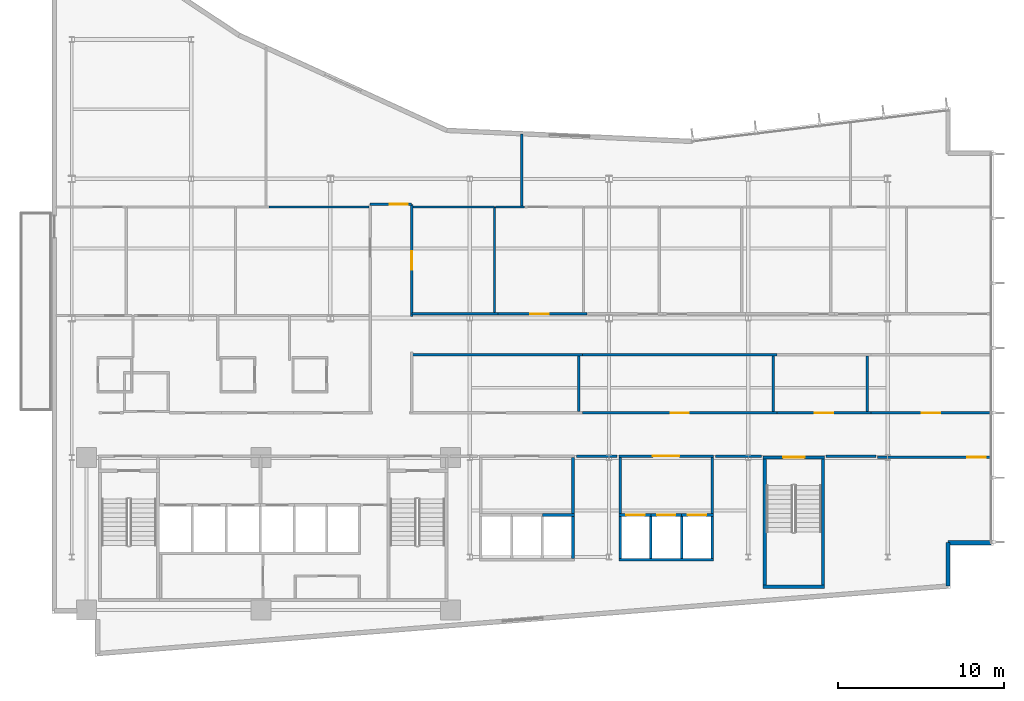
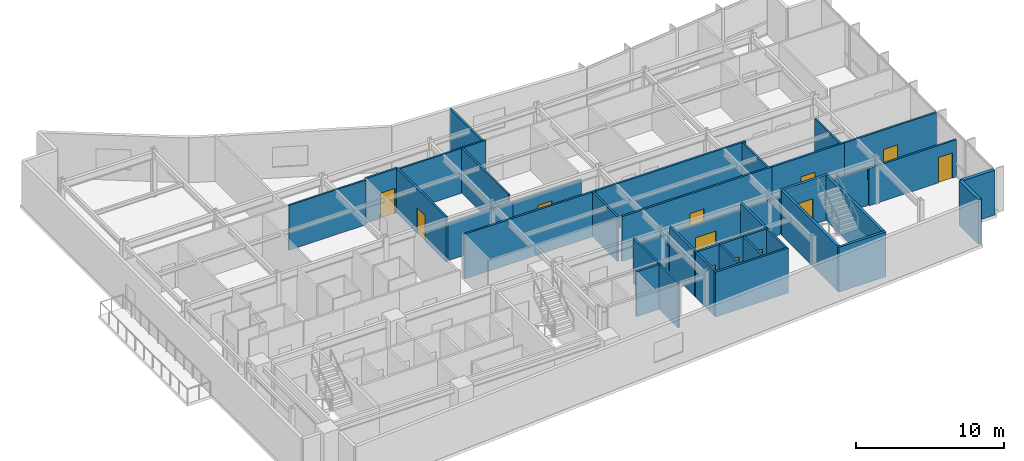
# One storey, part 12 of 18: 41 walls, 12 doors, 12 openings.
"""IFC4 building model written with IfcOpenShell, lengths in metres."""

from ifc_helpers import new_model, si_unit, direction, frame, frame_2d, origin, place, context, subcontext, project, spatial, rectangle, extrude, material, layer, layer_set, type_object, element, fill, save


model = new_model("IFC4")

# Units and contexts
model_context = context("Model", 3, precision=1e-05, world=origin(), true_north=direction((0.0, 1.0)))
body_context = subcontext(model_context, "Body", "Model", "MODEL_VIEW")
ifc_project = project(units=[si_unit("LENGTHUNIT", "METRE"), si_unit("AREAUNIT", "SQUARE_METRE"), si_unit("VOLUMEUNIT", "CUBIC_METRE"), si_unit("PLANEANGLEUNIT", "RADIAN"), si_unit("MASSUNIT", "GRAM", prefix="KILO")], contexts=[model_context])

# Site, building, storey
site_placement = place(None, origin())
site = spatial("IfcSite", under=ifc_project, at=site_placement, CompositionType="ELEMENT")
building_placement = place(site_placement, origin())
building = spatial("IfcBuilding", under=site, at=building_placement, Name="Varnakote Quay Hospital", CompositionType="ELEMENT")
storey_placement = place(building_placement, frame((0.0, 0.0, 107.300048828125)))
storey = spatial("IfcBuildingStorey", under=building, at=storey_placement, Name="L26", CompositionType="ELEMENT", Elevation=107.300048828125)

# Walls
ifc_material_1 = material(Name="Fire-rated acoustic gypsum stud wall", Category="gypsum")
ifc_layer_1 = layer(ifc_material_1, 0.159912109375)
ifc_layer_set_1 = layer_set([ifc_layer_1], Name="Fire-rated acoustic gypsum stud wall")
wall_type_1 = type_object("IfcWallType", Name="WL-COMP-160", PredefinedType="PARTITIONING", material=ifc_layer_set_1)
for number, where, z_axis, x_axis, name in (
    (1, (31.429931640625, 8.610107421875, 0.0), (0.0, 0.0, 1.0), (0.0, 1.0, 0.0), "L26 Low-Rise Lift Lobby East Wall"),
    (2, (34.27001953125, 8.610107421875, 0.0), (0.0, 0.0, 1.0), (0.0, 1.0, 0.0), "L26 Mid-Rise Lift Lobby West Wall"),
    (3, (39.830078125, 8.610107421875, 0.0), (0.0, 0.0, 1.0), (0.0, 1.0, 0.0), "L26 Mid-Rise Lift Lobby East Wall"),
):
    element("IfcWall", number, at=place(storey_placement, frame(where, z_axis=z_axis, x_axis=x_axis)), inside=storey, type_object=wall_type_1, Name=name, PredefinedType="PARTITIONING", context=body_context, shape_type="SweptSolid", body=[
        extrude(rectangle(XDim=3.389892578125, YDim=0.159912109375, at=frame_2d((1.69482421875, 0.0))), origin(), (0.0, 0.0, 1.0), 3.7099609375),
    ])

# Wall, opening, door
wall_1_placement = place(storey_placement, frame((34.18994140625, 12.080078125, 0.0), z_axis=(0.0, 0.0, 1.0), x_axis=(1.0, 0.0, 0.0)))
wall_1 = element("IfcWall", 4, at=wall_1_placement, inside=storey, type_object=wall_type_1, Name="L26 Mid-Rise Lift Lobby North Wall", PredefinedType="PARTITIONING", context=body_context, shape_type="SweptSolid", body=[
    extrude(rectangle(XDim=5.719970703125, YDim=0.159912109375, at=frame_2d((2.85986328125, 0.0))), origin(), (0.0, 0.0, 1.0), 3.0830078125),
])
opening_1_placement = place(wall_1_placement, frame((2.06005859375, 0.0, 0.0)))
opening_1 = element("IfcOpeningElement", 5, at=opening_1_placement, cuts=wall_1, Name="Opening D-PML-L26", PredefinedType="OPENING", context=body_context, shape_type="SweptSolid", body=[
    extrude(rectangle(XDim=1.60009765625, YDim=2.050048828125, at=frame_2d((0.800048828125, 1.02490234375))), frame((0.0, 0.08984375, 0.0), z_axis=(0.0, -1.0, 0.0), x_axis=(1.0, 0.0, 0.0)), (0.0, 0.0, 1.0), 0.179931640625),
])
ifc_material_2 = material(Name="Fire-rated double smoke lobby door")
door_type_1 = type_object("IfcDoorType", Name="DR-LOBBY-FD60S-1600x2150", OperationType="NOTDEFINED", PredefinedType="DOOR", material=ifc_material_2)
door_1_placement = place(opening_1_placement, origin())
door_1 = element("IfcDoor", 6, at=door_1_placement, inside=storey, type_object=door_type_1, Name="L26 Mid-Rise Passenger Concourse Vestibule Door", OperationType="DOUBLE_DOOR_SINGLE_SWING", OverallHeight=2.050048828125, OverallWidth=1.60009765625, PredefinedType="DOOR", context=body_context, shape_type="SweptSolid", body=[
    extrude(rectangle(XDim=1.60009765625, YDim=2.050048828125, at=frame_2d((0.800048828125, 1.02490234375))), frame((0.0, 0.02490234375, 0.0), z_axis=(0.0, -1.0, 0.0), x_axis=(1.0, 0.0, 0.0)), (0.0, 0.0, 1.0), 0.050048828125),
])
fill(opening_1, door_1)

# Walls
wall_2_placement = place(storey_placement, frame((31.6298828125, 12.080078125, 0.0), z_axis=(0.0, 0.0, 1.0), x_axis=(1.0, 0.0, 0.0)))
element("IfcWall", 7, at=wall_2_placement, inside=storey, type_object=wall_type_1, Name="L26 Corridor South Gap Wall", PredefinedType="PARTITIONING", context=body_context, shape_type="SweptSolid", body=[
    extrude(rectangle(XDim=2.440185546875, YDim=0.159912109375, at=frame_2d((1.22021484375, 0.0))), origin(), (0.0, 0.0, 1.0), 3.0830078125),
])
wall_3_placement = place(storey_placement, frame((40.030029296875, 12.080078125, 0.0), z_axis=(0.0, 0.0, 1.0), x_axis=(1.0, 0.0, 0.0)))
element("IfcWall", 8, at=wall_3_placement, inside=storey, type_object=wall_type_1, Name="L26 Corridor South Gap Wall", PredefinedType="PARTITIONING", context=body_context, shape_type="SweptSolid", body=[
    extrude(rectangle(XDim=2.78076171875, YDim=0.159912109375, at=frame_2d((1.390380859375, 0.0))), origin(), (0.0, 0.0, 1.0), 3.0830078125),
])
wall_4_placement = place(storey_placement, frame((46.689208984375, 12.080078125, 0.0), z_axis=(0.0, 0.0, 1.0), x_axis=(1.0, 0.0, 0.0)))
element("IfcWall", 9, at=wall_4_placement, inside=storey, type_object=wall_type_1, Name="L26 Corridor South Gap Wall", PredefinedType="PARTITIONING", context=body_context, shape_type="SweptSolid", body=[
    extrude(rectangle(XDim=3.0107421875, YDim=0.159912109375, at=frame_2d((1.50537109375, 0.0))), origin(), (0.0, 0.0, 1.0), 3.0830078125),
])
ifc_material_3 = material(Name="Precast concrete N50 (f'c 50 MPa)", Category="concrete")
ifc_layer_2 = layer(ifc_material_3, 0.260009765625)
ifc_layer_set_2 = layer_set([ifc_layer_2], Name="Precast concrete N50 (f'c 50 MPa)")
wall_type_2 = type_object("IfcWallType", Name="WL-EXT-BRICK-260", PredefinedType="STANDARD", material=ifc_layer_set_2)
wall_5_placement = place(storey_placement, frame((54.0400390625, 4.247802734375, 0.0), z_axis=(0.0, 0.0, 1.0), x_axis=(0.0, 1.0, 0.0)))
element("IfcWall", 10, at=wall_5_placement, inside=storey, type_object=wall_type_2, Name="L26 Brick-Faced Precast Exterior Wall", PredefinedType="STANDARD", context=body_context, shape_type="SweptSolid", body=[
    extrude(rectangle(XDim=2.6123046875, YDim=0.260009765625, at=frame_2d((1.30615234375, 0.0))), origin(), (0.0, 0.0, 1.0), 3.7099609375),
])
wall_6_placement = place(storey_placement, frame((54.0400390625, 6.860107421875, 0.0), z_axis=(0.0, 0.0, 1.0), x_axis=(1.0, 0.0, 0.0)))
element("IfcWall", 11, at=wall_6_placement, inside=storey, type_object=wall_type_2, Name="L26 Brick-Faced Precast Exterior Wall", PredefinedType="STANDARD", context=body_context, shape_type="SweptSolid", body=[
    extrude(rectangle(XDim=2.599853515625, YDim=0.260009765625, at=frame_2d((1.2998046875, 0.0))), origin(), (0.0, 0.0, 1.0), 3.7099609375),
])
ifc_material_4 = material(Name="Concrete N50 (f'c 50 MPa)", Category="concrete")
ifc_layer_3 = layer(ifc_material_4, 0.14990234375)
ifc_layer_set_3 = layer_set([ifc_layer_3], Name="Concrete N50 (f'c 50 MPa)")
wall_type_3 = type_object("IfcWallType", Name="WL-SHAFT-N50-150", PredefinedType="SHEAR", material=ifc_layer_set_3)
for number, where, z_axis, x_axis, name in (
    (12, (36.125, 5.89990234375, 0.0), (0.0, 0.0, 1.0), (0.0, 1.0, 0.0), "L26 LF-PM1 Hoistway Divider Wall"),
    (13, (37.97509765625, 5.89990234375, 0.0), (0.0, 0.0, 1.0), (0.0, 1.0, 0.0), "L26 LF-PM2 Hoistway Divider Wall"),
):
    element("IfcWall", number, at=place(storey_placement, frame(where, z_axis=z_axis, x_axis=x_axis)), inside=storey, type_object=wall_type_3, Name=name, PredefinedType="SHEAR", context=body_context, shape_type="SweptSolid", body=[
        extrude(rectangle(XDim=2.550048828125, YDim=0.14990234375, at=frame_2d((1.27490234375, 0.0))), origin(), (0.0, 0.0, 1.0), 3.7099609375),
    ])
ifc_material_5 = material(Name="Concrete N50 (f'c 50 MPa)", Category="concrete")
ifc_layer_4 = layer(ifc_material_5, 0.159912109375)
ifc_layer_set_4 = layer_set([ifc_layer_4], Name="Concrete N50 (f'c 50 MPa)")
wall_type_4 = type_object("IfcWallType", Name="WL-SHAFT-N50-160", PredefinedType="SHEAR", material=ifc_layer_set_4)
wall_7_placement = place(storey_placement, frame((31.429931640625, 5.89990234375, 0.0), z_axis=(0.0, 0.0, 1.0), x_axis=(0.0, 1.0, 0.0)))
element("IfcWall", 14, at=wall_7_placement, inside=storey, type_object=wall_type_4, Name="L26 LOW Lift Bank East Shear Wall", PredefinedType="SHEAR", context=body_context, shape_type="SweptSolid", body=[
    extrude(rectangle(XDim=2.550048828125, YDim=0.159912109375, at=frame_2d((1.27490234375, 0.0))), origin(), (0.0, 0.0, 1.0), 3.7099609375),
])
wall_8_placement = place(storey_placement, frame((29.574951171875, 8.530029296875, 0.0), z_axis=(0.0, 0.0, 1.0), x_axis=(1.0, 0.0, 0.0)))
element("IfcWall", 15, at=wall_8_placement, inside=storey, type_object=wall_type_4, Name="L26 LF-PL3 Hoistway Front Wall", PredefinedType="SHEAR", context=body_context, shape_type="SweptSolid", body=[
    extrude(rectangle(XDim=1.93505859375, YDim=0.159912109375, at=frame_2d((0.967529296875, 0.0))), origin(), (0.0, 0.0, 1.0), 3.7099609375),
])
wall_9_placement = place(storey_placement, frame((34.18994140625, 5.820068359375, 0.0), z_axis=(0.0, 0.0, 1.0), x_axis=(1.0, 0.0, 0.0)))
element("IfcWall", 16, at=wall_9_placement, inside=storey, type_object=wall_type_4, Name="L26 MID Lift Bank Back Shear Wall", PredefinedType="SHEAR", context=body_context, shape_type="SweptSolid", body=[
    extrude(rectangle(XDim=5.719970703125, YDim=0.159912109375, at=frame_2d((2.85986328125, 0.0))), origin(), (0.0, 0.0, 1.0), 3.7099609375),
])
for number, where, z_axis, x_axis, name in (
    (17, (34.27001953125, 5.89990234375, 0.0), (0.0, 0.0, 1.0), (0.0, 1.0, 0.0), "L26 MID Lift Bank West Shear Wall"),
    (18, (39.830078125, 5.89990234375, 0.0), (0.0, 0.0, 1.0), (0.0, 1.0, 0.0), "L26 MID Lift Bank East Shear Wall"),
):
    element("IfcWall", number, at=place(storey_placement, frame(where, z_axis=z_axis, x_axis=x_axis)), inside=storey, type_object=wall_type_4, Name=name, PredefinedType="SHEAR", context=body_context, shape_type="SweptSolid", body=[
        extrude(rectangle(XDim=2.550048828125, YDim=0.159912109375, at=frame_2d((1.27490234375, 0.0))), origin(), (0.0, 0.0, 1.0), 3.7099609375),
    ])

# Wall, opening, door
wall_10_placement = place(storey_placement, frame((34.18994140625, 8.530029296875, 0.0), z_axis=(0.0, 0.0, 1.0), x_axis=(1.0, 0.0, 0.0)))
wall_10 = element("IfcWall", 19, at=wall_10_placement, inside=storey, type_object=wall_type_4, Name="L26 LF-PM1 Hoistway Front Wall", PredefinedType="SHEAR", context=body_context, shape_type="SweptSolid", body=[
    extrude(rectangle(XDim=1.93505859375, YDim=0.159912109375, at=frame_2d((0.967529296875, 0.0))), origin(), (0.0, 0.0, 1.0), 3.7099609375),
])
opening_2_placement = place(wall_10_placement, frame((0.4599609375, 0.0, 0.0)))
opening_2 = element("IfcOpeningElement", 20, at=opening_2_placement, cuts=wall_10, Name="Opening LD-PM1-L26", PredefinedType="OPENING", context=body_context, shape_type="SweptSolid", body=[
    extrude(rectangle(XDim=1.10009765625, YDim=2.14990234375, at=frame_2d((0.550048828125, 1.074951171875))), frame((0.0, 0.08984375, 0.0), z_axis=(0.0, -1.0, 0.0), x_axis=(1.0, 0.0, 0.0)), (0.0, 0.0, 1.0), 0.179931640625),
])
ifc_material_6 = material(Name="Brushed bronze lift landing sliding door")
door_type_2 = type_object("IfcDoorType", Name="DR-LIFT-LD-1100x2150", OperationType="NOTDEFINED", PredefinedType="DOOR", material=ifc_material_6)
door_2_placement = place(opening_2_placement, origin())
door_2 = element("IfcDoor", 21, at=door_2_placement, inside=storey, type_object=door_type_2, Name="L26 LF-PM1 Lift Landing Sliding Door", OperationType="SLIDING_TO_LEFT", OverallHeight=2.14990234375, OverallWidth=1.10009765625, PredefinedType="DOOR", context=body_context, shape_type="SweptSolid", body=[
    extrude(rectangle(XDim=1.10009765625, YDim=2.14990234375, at=frame_2d((0.550048828125, 1.074951171875))), frame((0.0, 0.02490234375, 0.0), z_axis=(0.0, -1.0, 0.0), x_axis=(1.0, 0.0, 0.0)), (0.0, 0.0, 1.0), 0.050048828125),
])
fill(opening_2, door_2)

wall_11_placement = place(storey_placement, frame((36.125, 8.530029296875, 0.0), z_axis=(0.0, 0.0, 1.0), x_axis=(1.0, 0.0, 0.0)))
wall_11 = element("IfcWall", 22, at=wall_11_placement, inside=storey, type_object=wall_type_4, Name="L26 LF-PM2 Hoistway Front Wall", PredefinedType="SHEAR", context=body_context, shape_type="SweptSolid", body=[
    extrude(rectangle(XDim=1.85009765625, YDim=0.159912109375, at=frame_2d((0.925048828125, 0.0))), origin(), (0.0, 0.0, 1.0), 3.7099609375),
])
opening_3_placement = place(wall_11_placement, frame((0.375, 0.0, 0.0)))
opening_3 = element("IfcOpeningElement", 23, at=opening_3_placement, cuts=wall_11, Name="Opening LD-PM2-L26", PredefinedType="OPENING", context=body_context, shape_type="SweptSolid", body=[
    extrude(rectangle(XDim=1.10009765625, YDim=2.14990234375, at=frame_2d((0.550048828125, 1.074951171875))), frame((0.0, 0.08984375, 0.0), z_axis=(0.0, -1.0, 0.0), x_axis=(1.0, 0.0, 0.0)), (0.0, 0.0, 1.0), 0.179931640625),
])
door_3_placement = place(opening_3_placement, origin())
door_3 = element("IfcDoor", 24, at=door_3_placement, inside=storey, type_object=door_type_2, Name="L26 LF-PM2 Lift Landing Sliding Door", OperationType="SLIDING_TO_LEFT", OverallHeight=2.14990234375, OverallWidth=1.10009765625, PredefinedType="DOOR", context=body_context, shape_type="SweptSolid", body=[
    extrude(rectangle(XDim=1.10009765625, YDim=2.14990234375, at=frame_2d((0.550048828125, 1.074951171875))), frame((0.0, 0.02490234375, 0.0), z_axis=(0.0, -1.0, 0.0), x_axis=(1.0, 0.0, 0.0)), (0.0, 0.0, 1.0), 0.050048828125),
])
fill(opening_3, door_3)

wall_12_placement = place(storey_placement, frame((37.97509765625, 8.530029296875, 0.0), z_axis=(0.0, 0.0, 1.0), x_axis=(1.0, 0.0, 0.0)))
wall_12 = element("IfcWall", 25, at=wall_12_placement, inside=storey, type_object=wall_type_4, Name="L26 LF-PM3 Hoistway Front Wall", PredefinedType="SHEAR", context=body_context, shape_type="SweptSolid", body=[
    extrude(rectangle(XDim=1.934814453125, YDim=0.159912109375, at=frame_2d((0.96728515625, 0.0))), origin(), (0.0, 0.0, 1.0), 3.7099609375),
])
opening_4_placement = place(wall_12_placement, frame((0.375, 0.0, 0.0)))
opening_4 = element("IfcOpeningElement", 26, at=opening_4_placement, cuts=wall_12, Name="Opening LD-PM3-L26", PredefinedType="OPENING", context=body_context, shape_type="SweptSolid", body=[
    extrude(rectangle(XDim=1.10009765625, YDim=2.14990234375, at=frame_2d((0.550048828125, 1.074951171875))), frame((0.0, 0.08984375, 0.0), z_axis=(0.0, -1.0, 0.0), x_axis=(1.0, 0.0, 0.0)), (0.0, 0.0, 1.0), 0.179931640625),
])
door_4_placement = place(opening_4_placement, origin())
door_4 = element("IfcDoor", 27, at=door_4_placement, inside=storey, type_object=door_type_2, Name="L26 LF-PM3 Lift Landing Sliding Door", OperationType="SLIDING_TO_LEFT", OverallHeight=2.14990234375, OverallWidth=1.10009765625, PredefinedType="DOOR", context=body_context, shape_type="SweptSolid", body=[
    extrude(rectangle(XDim=1.10009765625, YDim=2.14990234375, at=frame_2d((0.550048828125, 1.074951171875))), frame((0.0, 0.02490234375, 0.0), z_axis=(0.0, -1.0, 0.0), x_axis=(1.0, 0.0, 0.0)), (0.0, 0.0, 1.0), 0.050048828125),
])
fill(opening_4, door_4)

# Walls
ifc_material_7 = material(Name="Concrete N50 (f'c 50 MPa)", Category="concrete")
ifc_layer_5 = layer(ifc_material_7, 0.199951171875)
ifc_layer_set_5 = layer_set([ifc_layer_5], Name="Concrete N50 (f'c 50 MPa)")
wall_type_5 = type_object("IfcWallType", Name="WL-SHAFT-N50-200", PredefinedType="SHEAR", material=ifc_layer_set_5)
wall_13_placement = place(storey_placement, frame((42.89990234375, 4.199951171875, 0.0), z_axis=(0.0, 0.0, 1.0), x_axis=(1.0, 0.0, 0.0)))
element("IfcWall", 28, at=wall_13_placement, inside=storey, type_object=wall_type_5, Name="L26 Stair ST3 South Shaft Wall", PredefinedType="SHEAR", context=body_context, shape_type="SweptSolid", body=[
    extrude(rectangle(XDim=3.7001953125, YDim=0.199951171875, at=frame_2d((1.85009765625, 0.0))), origin(), (0.0, 0.0, 1.0), 3.7099609375),
])
for number, where, z_axis, x_axis, name in (
    (29, (43.0, 4.300048828125, 0.0), (0.0, 0.0, 1.0), (0.0, 1.0, 0.0), "L26 Stair ST3 West Shaft Wall"),
    (30, (46.5, 4.300048828125, 0.0), (0.0, 0.0, 1.0), (0.0, 1.0, 0.0), "L26 Stair ST3 East Shaft Wall"),
):
    element("IfcWall", number, at=place(storey_placement, frame(where, z_axis=z_axis, x_axis=x_axis)), inside=storey, type_object=wall_type_5, Name=name, PredefinedType="SHEAR", context=body_context, shape_type="SweptSolid", body=[
        extrude(rectangle(XDim=7.599853515625, YDim=0.199951171875, at=frame_2d((3.7998046875, 0.0))), origin(), (0.0, 0.0, 1.0), 3.7099609375),
    ])

# Wall, opening, door
wall_14_placement = place(storey_placement, frame((42.89990234375, 12.0, 0.0), z_axis=(0.0, 0.0, 1.0), x_axis=(1.0, 0.0, 0.0)))
wall_14 = element("IfcWall", 31, at=wall_14_placement, inside=storey, type_object=wall_type_5, Name="L26 Stair ST3 Exit Wall", PredefinedType="SHEAR", context=body_context, shape_type="SweptSolid", body=[
    extrude(rectangle(XDim=3.7001953125, YDim=0.199951171875, at=frame_2d((1.85009765625, 0.0))), origin(), (0.0, 0.0, 1.0), 3.7099609375),
])
opening_5_placement = place(wall_14_placement, frame((1.199951171875, 0.0, 0.0)))
opening_5 = element("IfcOpeningElement", 32, at=opening_5_placement, cuts=wall_14, Name="Opening D-ST3-L26", PredefinedType="OPENING", context=body_context, shape_type="SweptSolid", body=[
    extrude(rectangle(XDim=1.300048828125, YDim=2.14990234375, at=frame_2d((0.64990234375, 1.074951171875))), frame((0.0, 0.10986328125, 0.0), z_axis=(0.0, -1.0, 0.0), x_axis=(1.0, 0.0, 0.0)), (0.0, 0.0, 1.0), 0.219970703125),
])
ifc_material_8 = material(Name="Fire-rated ceramic-glazed timber exit door", Category="wood")
door_type_3 = type_object("IfcDoorType", Name="DR-STAIR-FD60S-1300x2150", OperationType="NOTDEFINED", PredefinedType="DOOR", material=ifc_material_8)
door_5_placement = place(opening_5_placement, origin())
door_5 = element("IfcDoor", 33, at=door_5_placement, inside=storey, type_object=door_type_3, Name="L26 Stair ST3 Fire Exit Door", OperationType="SINGLE_SWING_RIGHT", OverallHeight=2.14990234375, OverallWidth=1.300048828125, PredefinedType="DOOR", context=body_context, shape_type="SweptSolid", body=[
    extrude(rectangle(XDim=1.300048828125, YDim=2.14990234375, at=frame_2d((0.64990234375, 1.074951171875))), frame((0.0, 0.02490234375, 0.0), z_axis=(0.0, -1.0, 0.0), x_axis=(1.0, 0.0, 0.0)), (0.0, 0.0, 1.0), 0.050048828125),
])
fill(opening_5, door_5)

# Walls
ifc_material_9 = material(Name="Smoke-proof clinical partition", Category="gypsum")
ifc_layer_6 = layer(ifc_material_9, 0.135009765625)
ifc_layer_set_6 = layer_set([ifc_layer_6], Name="Smoke-proof clinical partition")
wall_type_6 = type_object("IfcWallType", Name="WL-SMOKE-135", PredefinedType="PARTITIONING", material=ifc_layer_set_6)
for number, where, z_axis, x_axis, name in (
    (34, (31.780029296875, 14.760009765625, 0.0), (0.0, 0.0, 1.0), (0.0, 1.0, 0.0), "L26 Clinical Interior Partition"),
    (35, (43.5, 14.760009765625, 0.0), (0.0, 0.0, 1.0), (0.0, 1.0, 0.0), "L26 Clinical Interior Partition"),
    (36, (49.169921875, 14.760009765625, 0.0), (0.0, 0.0, 1.0), (0.0, 1.0, 0.0), "L26 Clinical Interior Partition"),
):
    element("IfcWall", number, at=place(storey_placement, frame(where, z_axis=z_axis, x_axis=x_axis)), inside=storey, type_object=wall_type_6, Name=name, PredefinedType="PARTITIONING", context=body_context, shape_type="SweptSolid", body=[
        extrude(rectangle(XDim=3.360107421875, YDim=0.135009765625, at=frame_2d((1.68017578125, 0.0))), origin(), (0.0, 0.0, 1.0), 3.7099609375),
    ])
wall_15_placement = place(storey_placement, frame((19.1201171875, 27.10009765625, 0.0), z_axis=(0.0, 0.0, 1.0), x_axis=(-1.0, 0.0, 0.0)))
element("IfcWall", 37, at=wall_15_placement, inside=storey, type_object=wall_type_6, Name="L26 Clinical Interior Partition", PredefinedType="PARTITIONING", context=body_context, shape_type="SweptSolid", body=[
    extrude(rectangle(XDim=6.029541015625, YDim=0.135009765625, at=frame_2d((3.0146484375, 0.0))), origin(), (0.0, 0.0, 1.0), 3.7099609375),
])
wall_16_placement = place(storey_placement, frame((26.68994140625, 20.715087890625, 0.0), z_axis=(0.0, 0.0, 1.0), x_axis=(0.0, 1.0, 0.0)))
element("IfcWall", 38, at=wall_16_placement, inside=storey, type_object=wall_type_6, Name="L26 Clinical Interior Partition", PredefinedType="PARTITIONING", context=body_context, shape_type="SweptSolid", body=[
    extrude(rectangle(XDim=6.385009765625, YDim=0.135009765625, at=frame_2d((3.1923828125, 0.0))), origin(), (0.0, 0.0, 1.0), 3.7099609375),
])
wall_17_placement = place(storey_placement, frame((26.68994140625, 27.10009765625, 0.0), z_axis=(0.0, 0.0, 1.0), x_axis=(-1.0, 0.0, 0.0)))
element("IfcWall", 39, at=wall_17_placement, inside=storey, type_object=wall_type_6, Name="L26 Clinical Interior Partition", PredefinedType="PARTITIONING", context=body_context, shape_type="SweptSolid", body=[
    extrude(rectangle(XDim=4.925048828125, YDim=0.135009765625, at=frame_2d((2.46240234375, 0.0))), origin(), (0.0, 0.0, 1.0), 3.7099609375),
])
wall_18_placement = place(storey_placement, frame((28.5185546875, 27.10009765625, 0.0), z_axis=(0.0, 0.0, 1.0), x_axis=(-1.0, 0.0, 0.0)))
element("IfcWall", 40, at=wall_18_placement, inside=storey, type_object=wall_type_6, Name="L26 Clinical Interior Partition", PredefinedType="PARTITIONING", context=body_context, shape_type="SweptSolid", body=[
    extrude(rectangle(XDim=1.77099609375, YDim=0.135009765625, at=frame_2d((0.885498046875, 0.0))), origin(), (0.0, 0.0, 1.0), 3.7099609375),
])
wall_19_placement = place(storey_placement, frame((28.340087890625, 27.157470703125, 0.0), z_axis=(0.0, 0.0, 1.0), x_axis=(0.0, 1.0, 0.0)))
element("IfcWall", 41, at=wall_19_placement, inside=storey, type_object=wall_type_6, Name="L26 Clinical Interior Partition", PredefinedType="PARTITIONING", context=body_context, shape_type="SweptSolid", body=[
    extrude(rectangle(XDim=4.355224609375, YDim=0.135009765625, at=frame_2d((2.177734375, 0.0))), origin(), (0.0, 0.0, 1.0), 3.7099609375),
])

# Wall, opening, door
ifc_material_10 = material(Name="Fire-rated clinical gypsum partition", Category="gypsum")
ifc_layer_7 = layer(ifc_material_10, 0.14990234375)
ifc_layer_set_7 = layer_set([ifc_layer_7], Name="Fire-rated clinical gypsum partition")
wall_type_7 = type_object("IfcWallType", Name="WL-WARD-150", PredefinedType="PARTITIONING", material=ifc_layer_set_7)
wall_20_placement = place(storey_placement, frame((56.639892578125, 12.0, 0.0), z_axis=(0.0, 0.0, 1.0), x_axis=(-1.0, 0.0, 0.0)))
wall_20 = element("IfcWall", 42, at=wall_20_placement, inside=storey, type_object=wall_type_7, Name="L26 Clinical Interior Partition", PredefinedType="PARTITIONING", context=body_context, shape_type="SweptSolid", body=[
    extrude(rectangle(XDim=6.83984375, YDim=0.14990234375, at=frame_2d((3.419921875, 0.0))), origin(), (0.0, 0.0, 1.0), 3.0830078125),
])
opening_6_placement = place(wall_20_placement, frame((0.33349609375, 0.0, 0.0)))
opening_6 = element("IfcOpeningElement", 43, at=opening_6_placement, cuts=wall_20, Name="Opening D-L26-SE1", PredefinedType="OPENING", context=body_context, shape_type="SweptSolid", body=[
    extrude(rectangle(XDim=1.10009765625, YDim=2.10009765625, at=frame_2d((0.550048828125, 1.050048828125))), frame((0.0, 0.0849609375, 0.0), z_axis=(0.0, -1.0, 0.0), x_axis=(1.0, 0.0, 0.0)), (0.0, 0.0, 1.0), 0.169921875),
])
ifc_material_11 = material(Name="Acoustic timber clinical consult door", Category="wood")
door_type_4 = type_object("IfcDoorType", Name="DR-CLIN-FD30S-1100x2100", OperationType="NOTDEFINED", PredefinedType="DOOR", material=ifc_material_11)
door_6_placement = place(opening_6_placement, origin())
door_6 = element("IfcDoor", 44, at=door_6_placement, inside=storey, type_object=door_type_4, Name="L26 Clinical Biomedical Engineering Office Door", OperationType="SINGLE_SWING_LEFT", OverallHeight=2.10009765625, OverallWidth=1.10009765625, PredefinedType="DOOR", context=body_context, shape_type="SweptSolid", body=[
    extrude(rectangle(XDim=1.10009765625, YDim=2.10009765625, at=frame_2d((0.550048828125, 1.050048828125))), frame((0.0, 0.02490234375, 0.0), z_axis=(0.0, -1.0, 0.0), x_axis=(1.0, 0.0, 0.0)), (0.0, 0.0, 1.0), 0.050048828125),
])
fill(opening_6, door_6)

wall_21_placement = place(storey_placement, frame((43.72607421875, 14.679931640625, 0.0), z_axis=(0.0, 0.0, 1.0), x_axis=(-1.0, 0.0, 0.0)))
wall_21 = element("IfcWall", 45, at=wall_21_placement, inside=storey, type_object=wall_type_7, Name="L26 Clinical Interior Partition", PredefinedType="PARTITIONING", context=body_context, shape_type="SweptSolid", body=[
    extrude(rectangle(XDim=11.718017578125, YDim=0.14990234375, at=frame_2d((5.85888671875, 0.0))), origin(), (0.0, 0.0, 1.0), 3.7099609375),
])
opening_7_placement = place(wall_21_placement, frame((5.30908203125, 0.0, 0.0)))
opening_7 = element("IfcOpeningElement", 46, at=opening_7_placement, cuts=wall_21, Name="Opening D-L26-MD03", PredefinedType="OPENING", context=body_context, shape_type="SweptSolid", body=[
    extrude(rectangle(XDim=1.10009765625, YDim=2.10009765625, at=frame_2d((0.550048828125, 1.050048828125))), frame((0.0, 0.0849609375, 0.0), z_axis=(0.0, -1.0, 0.0), x_axis=(1.0, 0.0, 0.0)), (0.0, 0.0, 1.0), 0.169921875),
])
door_7_placement = place(opening_7_placement, origin())
door_7 = element("IfcDoor", 47, at=door_7_placement, inside=storey, type_object=door_type_4, Name="L26 Perinatal Clinical Consultation Suite Door", OperationType="SINGLE_SWING_LEFT", OverallHeight=2.10009765625, OverallWidth=1.10009765625, PredefinedType="DOOR", context=body_context, shape_type="SweptSolid", body=[
    extrude(rectangle(XDim=1.10009765625, YDim=2.10009765625, at=frame_2d((0.550048828125, 1.050048828125))), frame((0.0, 0.02490234375, 0.0), z_axis=(0.0, -1.0, 0.0), x_axis=(1.0, 0.0, 0.0)), (0.0, 0.0, 1.0), 0.050048828125),
])
fill(opening_7, door_7)

wall_22_placement = place(storey_placement, frame((49.39599609375, 14.679931640625, 0.0), z_axis=(0.0, 0.0, 1.0), x_axis=(-1.0, 0.0, 0.0)))
wall_22 = element("IfcWall", 48, at=wall_22_placement, inside=storey, type_object=wall_type_7, Name="L26 Clinical Interior Partition", PredefinedType="PARTITIONING", context=body_context, shape_type="SweptSolid", body=[
    extrude(rectangle(XDim=5.66796875, YDim=0.14990234375, at=frame_2d((2.833984375, 0.0))), origin(), (0.0, 0.0, 1.0), 3.7099609375),
])
opening_8_placement = place(wall_22_placement, frame((2.283935546875, 0.0, 0.0)))
opening_8 = element("IfcOpeningElement", 49, at=opening_8_placement, cuts=wall_22, Name="Opening D-L26-MD04", PredefinedType="OPENING", context=body_context, shape_type="SweptSolid", body=[
    extrude(rectangle(XDim=1.10009765625, YDim=2.10009765625, at=frame_2d((0.550048828125, 1.050048828125))), frame((0.0, 0.0849609375, 0.0), z_axis=(0.0, -1.0, 0.0), x_axis=(1.0, 0.0, 0.0)), (0.0, 0.0, 1.0), 0.169921875),
])
door_8_placement = place(opening_8_placement, origin())
door_8 = element("IfcDoor", 50, at=door_8_placement, inside=storey, type_object=door_type_4, Name="L26 Midwifery Coordination Office Door", OperationType="SINGLE_SWING_RIGHT", OverallHeight=2.10009765625, OverallWidth=1.10009765625, PredefinedType="DOOR", context=body_context, shape_type="SweptSolid", body=[
    extrude(rectangle(XDim=1.10009765625, YDim=2.10009765625, at=frame_2d((0.550048828125, 1.050048828125))), frame((0.0, 0.02490234375, 0.0), z_axis=(0.0, -1.0, 0.0), x_axis=(1.0, 0.0, 0.0)), (0.0, 0.0, 1.0), 0.050048828125),
])
fill(opening_8, door_8)

wall_23_placement = place(storey_placement, frame((56.639892578125, 14.679931640625, 0.0), z_axis=(0.0, 0.0, 1.0), x_axis=(-1.0, 0.0, 0.0)))
wall_23 = element("IfcWall", 51, at=wall_23_placement, inside=storey, type_object=wall_type_7, Name="L26 Clinical Interior Partition", PredefinedType="PARTITIONING", context=body_context, shape_type="SweptSolid", body=[
    extrude(rectangle(XDim=7.241943359375, YDim=0.14990234375, at=frame_2d((3.62109375, 0.0))), origin(), (0.0, 0.0, 1.0), 3.7099609375),
])
opening_9_placement = place(wall_23_placement, frame((3.071044921875, 0.0, 0.0)))
opening_9 = element("IfcOpeningElement", 52, at=opening_9_placement, cuts=wall_23, Name="Opening D-L26-MD05", PredefinedType="OPENING", context=body_context, shape_type="SweptSolid", body=[
    extrude(rectangle(XDim=1.10009765625, YDim=2.10009765625, at=frame_2d((0.550048828125, 1.050048828125))), frame((0.0, 0.0849609375, 0.0), z_axis=(0.0, -1.0, 0.0), x_axis=(1.0, 0.0, 0.0)), (0.0, 0.0, 1.0), 0.169921875),
])
door_9_placement = place(opening_9_placement, origin())
door_9 = element("IfcDoor", 53, at=door_9_placement, inside=storey, type_object=door_type_4, Name="L26 Paediatric Clinical Teaching Room Door", OperationType="SINGLE_SWING_LEFT", OverallHeight=2.10009765625, OverallWidth=1.10009765625, PredefinedType="DOOR", context=body_context, shape_type="SweptSolid", body=[
    extrude(rectangle(XDim=1.10009765625, YDim=2.10009765625, at=frame_2d((0.550048828125, 1.050048828125))), frame((0.0, 0.02490234375, 0.0), z_axis=(0.0, -1.0, 0.0), x_axis=(1.0, 0.0, 0.0)), (0.0, 0.0, 1.0), 0.050048828125),
])
fill(opening_9, door_9)

wall_24_placement = place(storey_placement, frame((21.699951171875, 20.50390625, 0.0), z_axis=(0.0, 0.0, 1.0), x_axis=(0.0, 1.0, 0.0)))
wall_24 = element("IfcWall", 54, at=wall_24_placement, inside=storey, type_object=wall_type_7, Name="L26 Clinical Interior Partition", PredefinedType="PARTITIONING", context=body_context, shape_type="SweptSolid", body=[
    extrude(rectangle(XDim=6.756103515625, YDim=0.14990234375, at=frame_2d((3.3779296875, 0.0))), origin(), (0.0, 0.0, 1.0), 3.7099609375),
])
opening_10_placement = place(wall_24_placement, frame((2.827880859375, 0.0, 0.0)))
opening_10 = element("IfcOpeningElement", 55, at=opening_10_placement, cuts=wall_24, Name="Opening D-L26-MD08", PredefinedType="OPENING", context=body_context, shape_type="SweptSolid", body=[
    extrude(rectangle(XDim=1.10009765625, YDim=2.10009765625, at=frame_2d((0.550048828125, 1.050048828125))), frame((0.0, 0.0849609375, 0.0), z_axis=(0.0, -1.0, 0.0), x_axis=(1.0, 0.0, 0.0)), (0.0, 0.0, 1.0), 0.169921875),
])
door_10_placement = place(opening_10_placement, origin())
door_10 = element("IfcDoor", 56, at=door_10_placement, inside=storey, type_object=door_type_4, Name="L26 Midwifery Coordination Office Door", OperationType="SINGLE_SWING_LEFT", OverallHeight=2.10009765625, OverallWidth=1.10009765625, PredefinedType="DOOR", context=body_context, shape_type="SweptSolid", body=[
    extrude(rectangle(XDim=1.10009765625, YDim=2.10009765625, at=frame_2d((0.550048828125, 1.050048828125))), frame((0.0, 0.02490234375, 0.0), z_axis=(0.0, -1.0, 0.0), x_axis=(1.0, 0.0, 0.0)), (0.0, 0.0, 1.0), 0.050048828125),
])
fill(opening_10, door_10)

wall_25_placement = place(storey_placement, frame((21.699951171875, 27.260009765625, 0.0), z_axis=(0.0, 0.0, 1.0), x_axis=(-1.0, 0.0, 0.0)))
wall_25 = element("IfcWall", 57, at=wall_25_placement, inside=storey, type_object=wall_type_7, Name="L26 Clinical Interior Partition", PredefinedType="PARTITIONING", context=body_context, shape_type="SweptSolid", body=[
    extrude(rectangle(XDim=2.5, YDim=0.14990234375, at=frame_2d((1.25, 0.0))), origin(), (0.0, 0.0, 1.0), 3.7099609375),
])
opening_11_placement = place(wall_25_placement, frame((0.22509765625, 0.0, 0.0)))
opening_11 = element("IfcOpeningElement", 58, at=opening_11_placement, cuts=wall_25, Name="Opening D-L26-MD16", PredefinedType="OPENING", context=body_context, shape_type="SweptSolid", body=[
    extrude(rectangle(XDim=1.10009765625, YDim=2.10009765625, at=frame_2d((0.550048828125, 1.050048828125))), frame((0.0, 0.0849609375, 0.0), z_axis=(0.0, -1.0, 0.0), x_axis=(1.0, 0.0, 0.0)), (0.0, 0.0, 1.0), 0.169921875),
])
door_11_placement = place(opening_11_placement, origin())
door_11 = element("IfcDoor", 59, at=door_11_placement, inside=storey, type_object=door_type_4, Name="L26 Midwifery Coordination Office Door", OperationType="SINGLE_SWING_RIGHT", OverallHeight=2.10009765625, OverallWidth=1.10009765625, PredefinedType="DOOR", context=body_context, shape_type="SweptSolid", body=[
    extrude(rectangle(XDim=1.10009765625, YDim=2.10009765625, at=frame_2d((0.550048828125, 1.050048828125))), frame((0.0, 0.02490234375, 0.0), z_axis=(0.0, -1.0, 0.0), x_axis=(1.0, 0.0, 0.0)), (0.0, 0.0, 1.0), 0.050048828125),
])
fill(opening_11, door_11)

# Walls
wall_26_placement = place(storey_placement, frame((21.719970703125, 18.199951171875, 0.0), z_axis=(0.0, 0.0, 1.0), x_axis=(1.0, 0.0, 0.0)))
element("IfcWall", 60, at=wall_26_placement, inside=storey, type_object=wall_type_7, Name="L26 Clinical Interior Partition", PredefinedType="PARTITIONING", context=body_context, shape_type="SweptSolid", body=[
    extrude(rectangle(XDim=10.2861328125, YDim=0.14990234375, at=frame_2d((5.14306640625, 0.0))), origin(), (0.0, 0.0, 1.0), 3.7099609375),
])
wall_27_placement = place(storey_placement, frame((32.008056640625, 18.199951171875, 0.0), z_axis=(0.0, 0.0, 1.0), x_axis=(1.0, 0.0, 0.0)))
element("IfcWall", 61, at=wall_27_placement, inside=storey, type_object=wall_type_7, Name="L26 Clinical Interior Partition", PredefinedType="PARTITIONING", context=body_context, shape_type="SweptSolid", body=[
    extrude(rectangle(XDim=11.718017578125, YDim=0.14990234375, at=frame_2d((5.85888671875, 0.0))), origin(), (0.0, 0.0, 1.0), 3.7099609375),
])
wall_28_placement = place(storey_placement, frame((26.916015625, 20.64990234375, 0.0), z_axis=(0.0, 0.0, 1.0), x_axis=(-1.0, 0.0, 0.0)))
element("IfcWall", 62, at=wall_28_placement, inside=storey, type_object=wall_type_7, Name="L26 Clinical Interior Partition", PredefinedType="PARTITIONING", context=body_context, shape_type="SweptSolid", body=[
    extrude(rectangle(XDim=5.196044921875, YDim=0.14990234375, at=frame_2d((2.59814453125, 0.0))), origin(), (0.0, 0.0, 1.0), 3.0830078125),
])

# Wall, opening, door
wall_29_placement = place(storey_placement, frame((32.285888671875, 20.64990234375, 0.0), z_axis=(0.0, 0.0, 1.0), x_axis=(-1.0, 0.0, 0.0)))
wall_29 = element("IfcWall", 63, at=wall_29_placement, inside=storey, type_object=wall_type_7, Name="L26 Clinical Interior Partition", PredefinedType="PARTITIONING", context=body_context, shape_type="SweptSolid", body=[
    extrude(rectangle(XDim=5.367919921875, YDim=0.14990234375, at=frame_2d((2.68408203125, 0.0))), origin(), (0.0, 0.0, 1.0), 3.0830078125),
])
opening_12_placement = place(wall_29_placement, frame((2.327392578125, 0.0, 0.0)))
opening_12 = element("IfcOpeningElement", 64, at=opening_12_placement, cuts=wall_29, Name="Opening D-L26-MD09", PredefinedType="OPENING", context=body_context, shape_type="SweptSolid", body=[
    extrude(rectangle(XDim=1.10009765625, YDim=2.10009765625, at=frame_2d((0.550048828125, 1.050048828125))), frame((0.0, 0.0849609375, 0.0), z_axis=(0.0, -1.0, 0.0), x_axis=(1.0, 0.0, 0.0)), (0.0, 0.0, 1.0), 0.169921875),
])
door_12_placement = place(opening_12_placement, origin())
door_12 = element("IfcDoor", 65, at=door_12_placement, inside=storey, type_object=door_type_4, Name="L26 Paediatric Clinical Teaching Room Door", OperationType="SINGLE_SWING_LEFT", OverallHeight=2.10009765625, OverallWidth=1.10009765625, PredefinedType="DOOR", context=body_context, shape_type="SweptSolid", body=[
    extrude(rectangle(XDim=1.10009765625, YDim=2.10009765625, at=frame_2d((0.550048828125, 1.050048828125))), frame((0.0, 0.02490234375, 0.0), z_axis=(0.0, -1.0, 0.0), x_axis=(1.0, 0.0, 0.0)), (0.0, 0.0, 1.0), 0.050048828125),
])
fill(opening_12, door_12)

save(model, "model.ifc")
